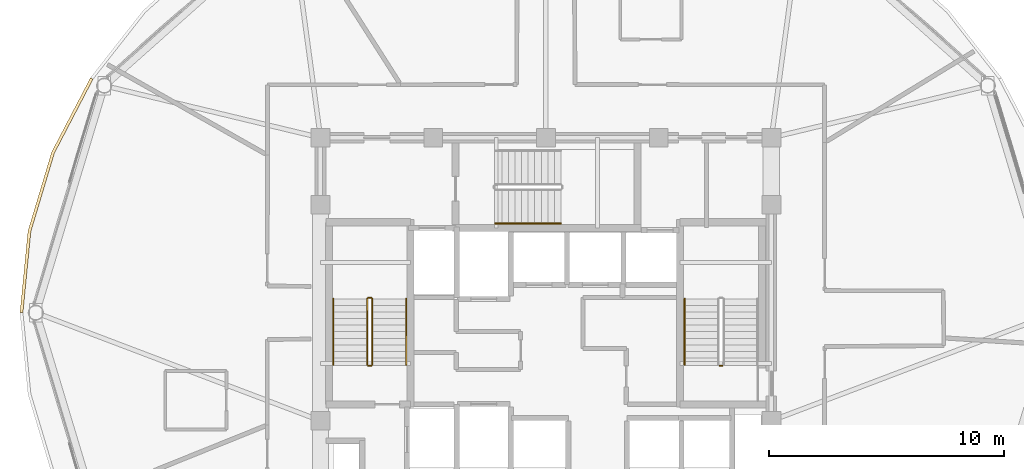
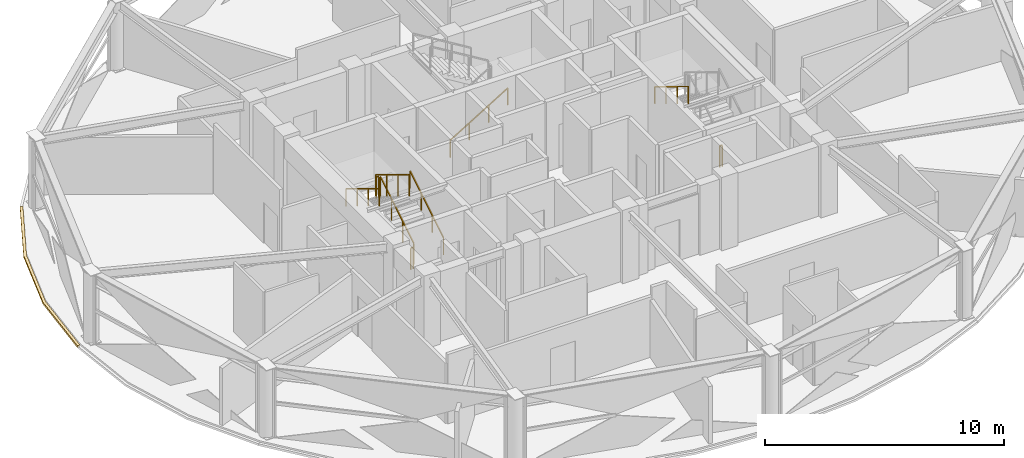
# One storey, part 26 of 28: 9 railings, 1 covering.
"""IFC4 building model written with IfcOpenShell, lengths in metres."""

from ifc_helpers import new_model, si_unit, direction, frame, origin, origin_2d, place, context, subcontext, project, spatial, polyline, rectangle, outline, extrude, material, layer, layer_set, type_object, element, save


model = new_model("IFC4")

# Units and contexts
model_context = context("Model", 3, precision=1e-05, world=origin(), true_north=direction((0.0, 1.0)))
body_context = subcontext(model_context, "Body", "Model", "MODEL_VIEW")
ifc_project = project(units=[si_unit("LENGTHUNIT", "METRE"), si_unit("AREAUNIT", "SQUARE_METRE"), si_unit("VOLUMEUNIT", "CUBIC_METRE"), si_unit("PLANEANGLEUNIT", "RADIAN"), si_unit("MASSUNIT", "GRAM", prefix="KILO")], contexts=[model_context])

# Site, building, storey
site_placement = place(None, origin())
site = spatial("IfcSite", under=ifc_project, at=site_placement, CompositionType="ELEMENT")
building_placement = place(site_placement, origin())
building = spatial("IfcBuilding", under=site, at=building_placement, Name="Vantalir Tower", CompositionType="ELEMENT")
storey_placement = place(building_placement, frame((0.0, 0.0, 246.14990234375)))
storey = spatial("IfcBuildingStorey", under=building, at=storey_placement, Name="L62", CompositionType="ELEMENT", Elevation=246.14990234375)

# Covering
ifc_material_1 = material(Name="Anodised champagne aluminium sill fascia", Category="aluminium")
ifc_layer = layer(ifc_material_1, 0.125)
ifc_layer_set = layer_set([ifc_layer], Name="Anodised champagne aluminium sill fascia")
covering_type = type_object("IfcCoveringType", Name="COV-SLAB-FASCIA-125", PredefinedType="CLADDING", material=ifc_layer_set)
covering_placement = place(storey_placement, frame((0.0, 0.0, -0.179931640625)))
element("IfcCovering", 1, at=covering_placement, inside=storey, type_object=covering_type, Name="L62 Perimeter Slab-Edge Sill Fascia 06", PredefinedType="CLADDING", context=body_context, shape_type="SweptSolid", body=[
    extrude(outline(polyline([(12.10693359375, 35.00390625), (10.45703125, 31.843017578125), (9.447021484375, 28.47412109375), (9.10693359375, 25.0), (9.23193359375, 25.0), (9.570068359375, 28.452880859375), (10.574951171875, 31.800048828125), (12.215087890625, 34.94091796875), (12.10693359375, 35.00390625)])), origin(), (0.0, 0.0, 1.0), 0.10498046875),
])

# Railings
ifc_material_2 = material(Name="Anodised aluminium and stainless steel guard", Category="steel")
railing_type_1 = type_object("IfcRailingType", Name="RAL-GUARD-1120", PredefinedType="GUARDRAIL", material=ifc_material_2)
railing_1_placement = place(storey_placement, frame((24.110107421875, 22.7900390625, 0.170654296875)))
element("IfcRailing", 2, at=railing_1_placement, inside=storey, type_object=railing_type_1, Name="L62 ST1 stair guard 1", PredefinedType="GUARDRAIL", context=body_context, shape_type="SweptSolid", body=[
    extrude(rectangle(XDim=0.048095703125, YDim=0.048095703125, at=origin_2d()), frame((0.0, 0.0, 1.09619140625), z_axis=(0.0, 0.854202870247, 0.519939858505), x_axis=(-1.0, 0.0, 0.0)), (0.0, 0.0, 1.0), 3.278076171875),
    extrude(rectangle(XDim=0.0419921875, YDim=0.0419921875, at=origin_2d()), origin(), (0.0, 0.0, 1.0), 1.072021484375),
    extrude(rectangle(XDim=0.0419921875, YDim=0.0419921875, at=origin_2d()), frame((0.0, 0.933349609375, 0.568115234375)), (0.0, 0.0, 1.0), 1.072021484375),
    extrude(rectangle(XDim=0.0419921875, YDim=0.0419921875, at=origin_2d()), frame((0.0, 1.86669921875, 1.13623046875)), (0.0, 0.0, 1.0), 1.072021484375),
    extrude(rectangle(XDim=0.0419921875, YDim=0.0419921875, at=origin_2d()), frame((0.0, 2.800048828125, 1.704345703125)), (0.0, 0.0, 1.0), 1.072021484375),
])
railing_2_placement = place(storey_placement, frame((24.06005859375, 25.639892578125, 1.875)))
element("IfcRailing", 3, at=railing_2_placement, inside=storey, type_object=railing_type_1, Name="L62 ST1 stair guard 2", PredefinedType="GUARDRAIL", context=body_context, shape_type="SweptSolid", body=[
    extrude(rectangle(XDim=0.048095703125, YDim=0.048095703125, at=origin_2d()), frame((0.0, 0.0, 1.09619140625), z_axis=(-1.0, 0.0, 0.0), x_axis=(0.0, -1.0, 0.0)), (0.0, 0.0, 1.0), 0.1201171875),
    extrude(rectangle(XDim=0.0419921875, YDim=0.0419921875, at=origin_2d()), origin(), (0.0, 0.0, 1.0), 1.072021484375),
    extrude(rectangle(XDim=0.0419921875, YDim=0.0419921875, at=origin_2d()), frame((-0.1201171875, 0.0, 0.0)), (0.0, 0.0, 1.0), 1.072021484375),
])
railing_3_placement = place(storey_placement, frame((23.889892578125, 25.590087890625, 2.045654296875)))
element("IfcRailing", 4, at=railing_3_placement, inside=storey, type_object=railing_type_1, Name="L62 ST1 stair guard 3", PredefinedType="GUARDRAIL", context=body_context, shape_type="SweptSolid", body=[
    extrude(rectangle(XDim=0.048095703125, YDim=0.048095703125, at=origin_2d()), frame((0.0, 0.0, 1.09619140625), z_axis=(0.0, -0.854202870247, 0.519939858505), x_axis=(1.0, 0.0, 0.0)), (0.0, 0.0, 1.0), 3.278076171875),
    extrude(rectangle(XDim=0.0419921875, YDim=0.0419921875, at=origin_2d()), origin(), (0.0, 0.0, 1.0), 1.072021484375),
    extrude(rectangle(XDim=0.0419921875, YDim=0.0419921875, at=origin_2d()), frame((0.0, -0.933349609375, 0.568115234375)), (0.0, 0.0, 1.0), 1.072021484375),
    extrude(rectangle(XDim=0.0419921875, YDim=0.0419921875, at=origin_2d()), frame((0.0, -1.86669921875, 1.13623046875)), (0.0, 0.0, 1.0), 1.072021484375),
    extrude(rectangle(XDim=0.0419921875, YDim=0.0419921875, at=origin_2d()), frame((0.0, -2.800048828125, 1.704345703125)), (0.0, 0.0, 1.0), 1.072021484375),
])
for number, where, name in (
    (5, (24.06005859375, 22.739990234375, 0.0), "L62 ST1 stair guard 4"),
    (6, (39.010009765625, 22.739990234375, 0.0), "L62 ST2 stair guard 4"),
):
    element("IfcRailing", number, at=place(storey_placement, frame(where)), inside=storey, type_object=railing_type_1, Name=name, PredefinedType="GUARDRAIL", context=body_context, shape_type="SweptSolid", body=[
        extrude(rectangle(XDim=0.048095703125, YDim=0.048095703125, at=origin_2d()), frame((0.0, 0.0, 1.09619140625), z_axis=(-1.0, 0.0, 0.0), x_axis=(0.0, -1.0, 0.0)), (0.0, 0.0, 1.0), 0.1201171875),
        extrude(rectangle(XDim=0.0419921875, YDim=0.0419921875, at=origin_2d()), origin(), (0.0, 0.0, 1.0), 1.072021484375),
        extrude(rectangle(XDim=0.0419921875, YDim=0.0419921875, at=origin_2d()), frame((-0.1201171875, 0.0, 0.0)), (0.0, 0.0, 1.0), 1.072021484375),
    ])
ifc_material_3 = material(Name="Brushed stainless steel tubular handrail", Category="steel")
railing_type_2 = type_object("IfcRailingType", Name="RAL-HANDRAIL-900", PredefinedType="HANDRAIL", material=ifc_material_3)
railing_4_placement = place(storey_placement, frame((25.550048828125, 22.7900390625, 0.170654296875)))
element("IfcRailing", 7, at=railing_4_placement, inside=storey, type_object=railing_type_2, Name="L62 ST1 stair handrail 1", PredefinedType="HANDRAIL", context=body_context, shape_type="SweptSolid", body=[
    extrude(rectangle(XDim=0.048095703125, YDim=0.048095703125, at=origin_2d()), frame((0.0, 0.0, 0.8759765625), z_axis=(0.0, 0.854202870247, 0.519939858505), x_axis=(-1.0, 0.0, 0.0)), (0.0, 0.0, 1.0), 3.278076171875),
    extrude(rectangle(XDim=0.0419921875, YDim=0.0419921875, at=origin_2d()), origin(), (0.0, 0.0, 1.0), 0.851806640625),
    extrude(rectangle(XDim=0.0419921875, YDim=0.0419921875, at=origin_2d()), frame((0.0, 0.933349609375, 0.568115234375)), (0.0, 0.0, 1.0), 0.851806640625),
    extrude(rectangle(XDim=0.0419921875, YDim=0.0419921875, at=origin_2d()), frame((0.0, 1.86669921875, 1.13623046875)), (0.0, 0.0, 1.0), 0.851806640625),
    extrude(rectangle(XDim=0.0419921875, YDim=0.0419921875, at=origin_2d()), frame((0.0, 2.800048828125, 1.704345703125)), (0.0, 0.0, 1.0), 0.851806640625),
])
for number, where, name in (
    (8, (22.449951171875, 25.590087890625, 2.045654296875), "L62 ST1 stair handrail 2"),
    (9, (37.39990234375, 25.590087890625, 2.045654296875), "L62 ST2 stair handrail 2"),
):
    element("IfcRailing", number, at=place(storey_placement, frame(where)), inside=storey, type_object=railing_type_2, Name=name, PredefinedType="HANDRAIL", context=body_context, shape_type="SweptSolid", body=[
        extrude(rectangle(XDim=0.048095703125, YDim=0.048095703125, at=origin_2d()), frame((0.0, 0.0, 0.8759765625), z_axis=(0.0, -0.854202870247, 0.519939858505), x_axis=(1.0, 0.0, 0.0)), (0.0, 0.0, 1.0), 3.278076171875),
        extrude(rectangle(XDim=0.0419921875, YDim=0.0419921875, at=origin_2d()), origin(), (0.0, 0.0, 1.0), 0.851806640625),
        extrude(rectangle(XDim=0.0419921875, YDim=0.0419921875, at=origin_2d()), frame((0.0, -0.933349609375, 0.568115234375)), (0.0, 0.0, 1.0), 0.851806640625),
        extrude(rectangle(XDim=0.0419921875, YDim=0.0419921875, at=origin_2d()), frame((0.0, -1.86669921875, 1.13623046875)), (0.0, 0.0, 1.0), 0.851806640625),
        extrude(rectangle(XDim=0.0419921875, YDim=0.0419921875, at=origin_2d()), frame((0.0, -2.800048828125, 1.704345703125)), (0.0, 0.0, 1.0), 0.851806640625),
    ])
railing_5_placement = place(storey_placement, frame((29.340087890625, 28.800048828125, 0.170654296875)))
element("IfcRailing", 10, at=railing_5_placement, inside=storey, type_object=railing_type_2, Name="L62 ST3 stair handrail 1", PredefinedType="HANDRAIL", context=body_context, shape_type="SweptSolid", body=[
    extrude(rectangle(XDim=0.048095703125, YDim=0.048095703125, at=origin_2d()), frame((0.0, 0.0, 0.8759765625), z_axis=(0.854182733786, 0.0, 0.519972939009), x_axis=(0.0, 1.0, 0.0)), (0.0, 0.0, 1.0), 3.27783203125),
    extrude(rectangle(XDim=0.0419921875, YDim=0.0419921875, at=origin_2d()), origin(), (0.0, 0.0, 1.0), 0.851806640625),
    extrude(rectangle(XDim=0.0419921875, YDim=0.0419921875, at=origin_2d()), frame((0.933349609375, 0.0, 0.568115234375)), (0.0, 0.0, 1.0), 0.851806640625),
    extrude(rectangle(XDim=0.0419921875, YDim=0.0419921875, at=origin_2d()), frame((1.866455078125, 0.0, 1.13623046875)), (0.0, 0.0, 1.0), 0.851806640625),
    extrude(rectangle(XDim=0.0419921875, YDim=0.0419921875, at=origin_2d()), frame((2.7998046875, 0.0, 1.704345703125)), (0.0, 0.0, 1.0), 0.851806640625),
])

save(model, "model.ifc")
